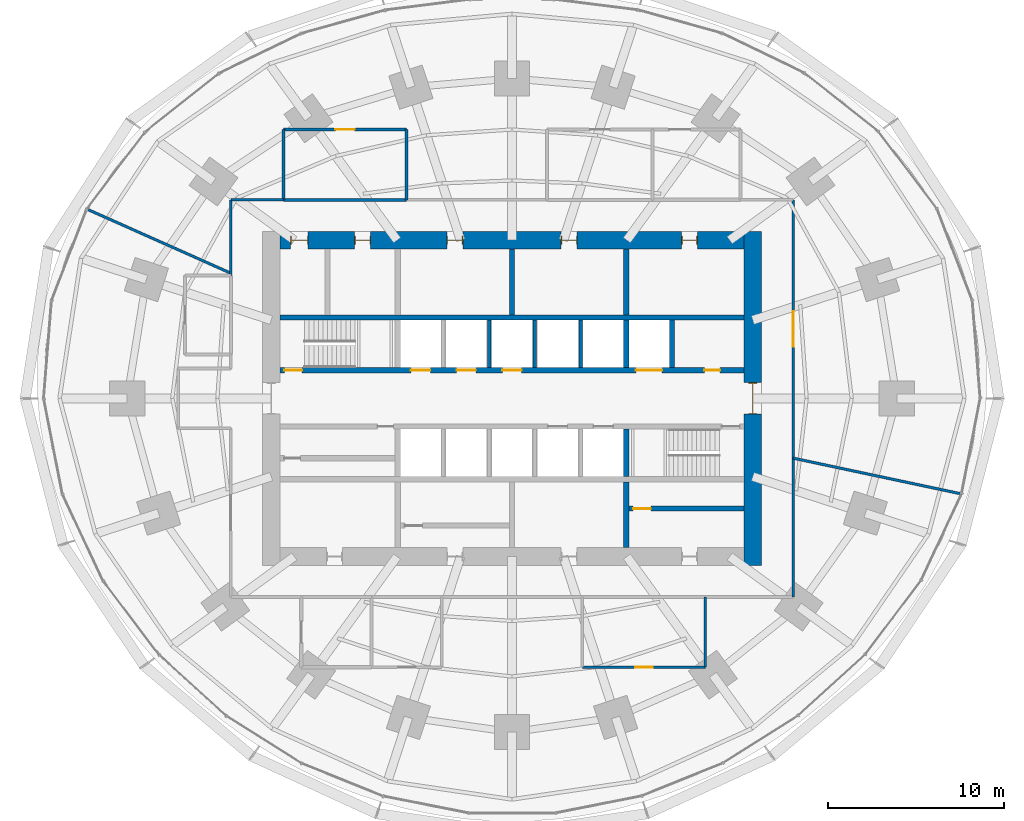
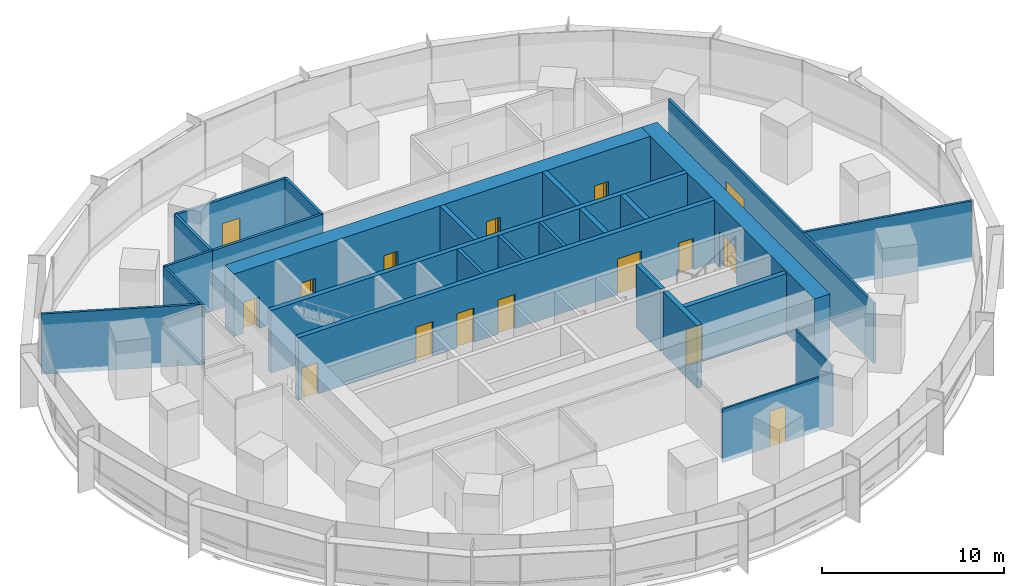
# One storey, part 12 of 15: 25 walls, 16 doors, 16 openings.
"""IFC4 building model written with IfcOpenShell, lengths in metres."""

from ifc_helpers import new_model, si_unit, direction, frame, frame_2d, origin, place, context, subcontext, project, spatial, rectangle, extrude, material, layer, layer_set, type_object, element, fill, save


model = new_model("IFC4")

# Units and contexts
model_context = context("Model", 3, precision=1e-05, world=origin(), true_north=direction((0.0, 1.0)))
body_context = subcontext(model_context, "Body", "Model", "MODEL_VIEW")
ifc_project = project(units=[si_unit("LENGTHUNIT", "METRE"), si_unit("AREAUNIT", "SQUARE_METRE"), si_unit("VOLUMEUNIT", "CUBIC_METRE"), si_unit("PLANEANGLEUNIT", "RADIAN"), si_unit("MASSUNIT", "GRAM", prefix="KILO")], contexts=[model_context])

# Site, building, storey
site_placement = place(None, origin())
site = spatial("IfcSite", under=ifc_project, at=site_placement, CompositionType="ELEMENT")
building_placement = place(site_placement, origin())
building = spatial("IfcBuilding", under=site, at=building_placement, Name="Marramba Exchange Tower", CompositionType="ELEMENT")
storey_placement = place(building_placement, frame((0.0, 0.0, 32.199951171875)))
storey = spatial("IfcBuildingStorey", under=building, at=storey_placement, Name="L07", CompositionType="ELEMENT", Elevation=32.199951171875)

# Wall
ifc_material_1 = material(Name="Plasterboard on staggered double steel studs, acoustic insulation", Category="steel")
ifc_layer_1 = layer(ifc_material_1, 0.169921875)
ifc_layer_set_1 = layer_set([ifc_layer_1], Name="Acoustic partition 170")
wall_type_1 = type_object("IfcWallType", Name="Acoustic partition 170", PredefinedType="PARTITIONING", material=ifc_layer_set_1)
wall_1_placement = place(storey_placement, frame((-6.0, 11.300048828125, 0.0), z_axis=(0.0, 0.0, 1.0), x_axis=(0.0, 1.0, 0.0)))
element("IfcWall", 1, at=wall_1_placement, inside=storey, type_object=wall_type_1, Name="Acoustic partition L07 25", PredefinedType="PARTITIONING", context=body_context, shape_type="SweptSolid", body=[
    extrude(rectangle(XDim=4.0, YDim=0.169921875, at=frame_2d((2.0, 0.0))), origin(), (0.0, 0.0, 1.0), 4.0400390625),
])

# Wall, opening, door
wall_2_placement = place(storey_placement, frame((-6.0, 15.300048828125, 0.0), z_axis=(0.0, 0.0, 1.0), x_axis=(-1.0, 0.0, 0.0)))
wall_2 = element("IfcWall", 2, at=wall_2_placement, inside=storey, type_object=wall_type_1, Name="Acoustic partition L07 26", PredefinedType="PARTITIONING", context=body_context, shape_type="SweptSolid", body=[
    extrude(rectangle(XDim=7.0, YDim=0.169921875, at=frame_2d((3.5, 0.0))), origin(), (0.0, 0.0, 1.0), 4.0400390625),
])
opening_1_placement = place(wall_2_placement, frame((2.949951171875, 0.0, 0.0)))
opening_1 = element("IfcOpeningElement", 3, at=opening_1_placement, cuts=wall_2, Name="Opening D15", PredefinedType="OPENING", context=body_context, shape_type="SweptSolid", body=[
    extrude(rectangle(XDim=1.10009765625, YDim=2.39990234375, at=frame_2d((0.550048828125, 1.199951171875))), frame((0.0, 0.094970703125, 0.0), z_axis=(0.0, -1.0, 0.0), x_axis=(1.0, 0.0, 0.0)), (0.0, 0.0, 1.0), 0.18994140625),
])
ifc_material_2 = material(Name="Timber door", Category="wood")
door_type_1 = type_object("IfcDoorType", Name="Glazed meeting room door 1100x2400", OperationType="SINGLE_SWING_LEFT", PredefinedType="DOOR", material=ifc_material_2)
door_1_placement = place(opening_1_placement, origin())
door_1 = element("IfcDoor", 4, at=door_1_placement, inside=storey, type_object=door_type_1, Name="D15 Meeting Room 2 L07", OperationType="SINGLE_SWING_RIGHT", OverallHeight=2.39990234375, OverallWidth=1.10009765625, PredefinedType="DOOR", context=body_context, shape_type="SweptSolid", body=[
    extrude(rectangle(XDim=1.10009765625, YDim=2.39990234375, at=frame_2d((0.550048828125, 1.199951171875))), frame((0.0, 0.02490234375, 0.0), z_axis=(0.0, -1.0, 0.0), x_axis=(1.0, 0.0, 0.0)), (0.0, 0.0, 1.0), 0.050048828125),
])
fill(opening_1, door_1)

# Walls
wall_3_placement = place(storey_placement, frame((-13.0, 11.300048828125, 0.0), z_axis=(0.0, 0.0, 1.0), x_axis=(1.0, 0.0, 0.0)))
element("IfcWall", 5, at=wall_3_placement, inside=storey, type_object=wall_type_1, Name="Acoustic partition L07 27", PredefinedType="PARTITIONING", context=body_context, shape_type="SweptSolid", body=[
    extrude(rectangle(XDim=7.0, YDim=0.169921875, at=frame_2d((3.5, 0.0))), origin(), (0.0, 0.0, 1.0), 4.0400390625),
])
wall_4_placement = place(storey_placement, frame((-13.0, 15.300048828125, 0.0), z_axis=(0.0, 0.0, 1.0), x_axis=(0.0, -1.0, 0.0)))
element("IfcWall", 6, at=wall_4_placement, inside=storey, type_object=wall_type_1, Name="Acoustic partition L07 28", PredefinedType="PARTITIONING", context=body_context, shape_type="SweptSolid", body=[
    extrude(rectangle(XDim=4.0, YDim=0.169921875, at=frame_2d((2.0, 0.0))), origin(), (0.0, 0.0, 1.0), 4.0400390625),
])
ifc_material_3 = material(Name="Concrete N50", Category="concrete")
ifc_layer_2 = layer(ifc_material_3, 0.199951171875)
ifc_layer_set_2 = layer_set([ifc_layer_2], Name="Core shaft wall 200")
wall_type_2 = type_object("IfcWallType", Name="Core shaft wall 200", PredefinedType="SHEAR", material=ifc_layer_set_2)
for number, where, z_axis, x_axis, name in (
    (7, (-1.300048828125, 1.75, 0.0), (0.0, 0.0, 1.0), (0.0, 1.0, 0.0), "Core wall SHN2 L07"),
    (8, (1.300048828125, 1.75, 0.0), (0.0, 0.0, 1.0), (0.0, 1.0, 0.0), "Core wall SHN3 L07"),
    (9, (3.89990234375, 1.75, 0.0), (0.0, 0.0, 1.0), (0.0, 1.0, 0.0), "Core wall SHN4 L07"),
):
    element("IfcWall", number, at=place(storey_placement, frame(where, z_axis=z_axis, x_axis=x_axis)), inside=storey, type_object=wall_type_2, Name=name, PredefinedType="SHEAR", context=body_context, shape_type="SweptSolid", body=[
        extrude(rectangle(XDim=2.699951171875, YDim=0.199951171875, at=frame_2d((1.35009765625, 0.0))), origin(), (0.0, 0.0, 1.0), 4.199951171875),
    ])

# Wall, openings, doors
ifc_layer_3 = layer(ifc_material_3, 1.0)
ifc_layer_set_3 = layer_set([ifc_layer_3], Name="Core wall 1000")
wall_type_3 = type_object("IfcWallType", Name="Core wall 1000", PredefinedType="SHEAR", material=ifc_layer_set_3)
wall_5_placement = place(storey_placement, frame((13.199951171875, 9.0, 0.0), z_axis=(0.0, 0.0, 1.0), x_axis=(-1.0, 0.0, 0.0)))
wall_5 = element("IfcWall", 10, at=wall_5_placement, inside=storey, type_object=wall_type_3, Name="Core wall N L07", PredefinedType="SHEAR", context=body_context, shape_type="SweptSolid", body=[
    extrude(rectangle(XDim=26.39990234375, YDim=1.0, at=frame_2d((13.199951171875, 0.0))), origin(), (0.0, 0.0, 1.0), 4.199951171875),
])
opening_2_placement = place(wall_5_placement, frame((2.64990234375, 0.0, 0.0)))
opening_2 = element("IfcOpeningElement", 11, at=opening_2_placement, cuts=wall_5, Name="Opening D5", PredefinedType="OPENING", context=body_context, shape_type="SweptSolid", body=[
    extrude(rectangle(XDim=0.89990234375, YDim=2.10009765625, at=frame_2d((0.449951171875, 1.050048828125))), frame((0.0, 0.510009765625, 0.0), z_axis=(0.0, -1.0, 0.0), x_axis=(1.0, 0.0, 0.0)), (0.0, 0.0, 1.0), 1.02001953125),
])
opening_3_placement = place(wall_5_placement, frame((9.5, 0.0, 0.0)))
opening_3 = element("IfcOpeningElement", 12, at=opening_3_placement, cuts=wall_5, Name="Opening D3", PredefinedType="OPENING", context=body_context, shape_type="SweptSolid", body=[
    extrude(rectangle(XDim=0.89990234375, YDim=2.10009765625, at=frame_2d((0.449951171875, 1.050048828125))), frame((0.0, 0.510009765625, 0.0), z_axis=(0.0, -1.0, 0.0), x_axis=(1.0, 0.0, 0.0)), (0.0, 0.0, 1.0), 1.02001953125),
])
opening_4_placement = place(wall_5_placement, frame((16.0, 0.0, 0.0)))
opening_4 = element("IfcOpeningElement", 13, at=opening_4_placement, cuts=wall_5, Name="Opening D3", PredefinedType="OPENING", context=body_context, shape_type="SweptSolid", body=[
    extrude(rectangle(XDim=0.89990234375, YDim=2.10009765625, at=frame_2d((0.449951171875, 1.050048828125))), frame((0.0, 0.510009765625, 0.0), z_axis=(0.0, -1.0, 0.0), x_axis=(1.0, 0.0, 0.0)), (0.0, 0.0, 1.0), 1.02001953125),
])
opening_5_placement = place(wall_5_placement, frame((21.25, 0.0, 0.0)))
opening_5 = element("IfcOpeningElement", 14, at=opening_5_placement, cuts=wall_5, Name="Opening D5", PredefinedType="OPENING", context=body_context, shape_type="SweptSolid", body=[
    extrude(rectangle(XDim=0.89990234375, YDim=2.10009765625, at=frame_2d((0.449951171875, 1.050048828125))), frame((0.0, 0.510009765625, 0.0), z_axis=(0.0, -1.0, 0.0), x_axis=(1.0, 0.0, 0.0)), (0.0, 0.0, 1.0), 1.02001953125),
])
opening_6_placement = place(wall_5_placement, frame((24.800048828125, 0.0, 0.0)))
opening_6 = element("IfcOpeningElement", 15, at=opening_6_placement, cuts=wall_5, Name="Opening D4", PredefinedType="OPENING", context=body_context, shape_type="SweptSolid", body=[
    extrude(rectangle(XDim=1.0, YDim=2.10009765625, at=frame_2d((0.5, 1.050048828125))), frame((0.0, 0.510009765625, 0.0), z_axis=(0.0, -1.0, 0.0), x_axis=(1.0, 0.0, 0.0)), (0.0, 0.0, 1.0), 1.02001953125),
])
ifc_material_4 = material(Name="Steel-framed door", Category="steel")
door_type_2 = type_object("IfcDoorType", Name="Accessible toilet door 1000x2100", OperationType="SINGLE_SWING_LEFT", PredefinedType="DOOR", material=ifc_material_4)
door_2_placement = place(opening_6_placement, origin())
door_2 = element("IfcDoor", 16, at=door_2_placement, inside=storey, type_object=door_type_2, Name="D4 awc L07", OperationType="SINGLE_SWING_RIGHT", OverallHeight=2.10009765625, OverallWidth=1.0, PredefinedType="DOOR", context=body_context, shape_type="SweptSolid", body=[
    extrude(rectangle(XDim=0.919921875, YDim=2.06005859375, at=frame_2d((0.5, 1.030029296875))), frame((0.0, 0.02490234375, 0.0), z_axis=(0.0, -1.0, 0.0), x_axis=(1.0, 0.0, 0.0)), (0.0, 0.0, 1.0), 0.050048828125),
    extrude(rectangle(XDim=0.04, YDim=2.10009765625, at=frame_2d((0.02001953125, 1.050048828125))), frame((0.0, 0.25, 0.0), z_axis=(0.0, -1.0, 0.0), x_axis=(1.0, 0.0, 0.0)), (0.0, 0.0, 1.0), 0.5),
    extrude(rectangle(XDim=0.04, YDim=2.10009765625, at=frame_2d((0.97998046875, 1.050048828125))), frame((0.0, 0.25, 0.0), z_axis=(0.0, -1.0, 0.0), x_axis=(1.0, 0.0, 0.0)), (0.0, 0.0, 1.0), 0.5),
    extrude(rectangle(XDim=0.919921875, YDim=0.04, at=frame_2d((0.5, 2.080078125))), frame((0.0, 0.25, 0.0), z_axis=(0.0, -1.0, 0.0), x_axis=(1.0, 0.0, 0.0)), (0.0, 0.0, 1.0), 0.5),
])
fill(opening_6, door_2)
door_type_3 = type_object("IfcDoorType", Name="Service door 900x2100", OperationType="SINGLE_SWING_LEFT", PredefinedType="DOOR", material=ifc_material_4)
door_3_placement = place(opening_2_placement, origin())
door_3 = element("IfcDoor", 17, at=door_3_placement, inside=storey, type_object=door_type_3, Name="D5 comms L07", OperationType="SINGLE_SWING_LEFT", OverallHeight=2.10009765625, OverallWidth=0.89990234375, PredefinedType="DOOR", context=body_context, shape_type="SweptSolid", body=[
    extrude(rectangle(XDim=0.81982421875, YDim=2.06005859375, at=frame_2d((0.449951171875, 1.030029296875))), frame((0.0, 0.02490234375, 0.0), z_axis=(0.0, -1.0, 0.0), x_axis=(1.0, 0.0, 0.0)), (0.0, 0.0, 1.0), 0.050048828125),
    extrude(rectangle(XDim=0.04, YDim=2.10009765625, at=frame_2d((0.02001953125, 1.050048828125))), frame((0.0, 0.25, 0.0), z_axis=(0.0, -1.0, 0.0), x_axis=(1.0, 0.0, 0.0)), (0.0, 0.0, 1.0), 0.5),
    extrude(rectangle(XDim=0.04, YDim=2.10009765625, at=frame_2d((0.8798828125, 1.050048828125))), frame((0.0, 0.25, 0.0), z_axis=(0.0, -1.0, 0.0), x_axis=(1.0, 0.0, 0.0)), (0.0, 0.0, 1.0), 0.5),
    extrude(rectangle(XDim=0.81982421875, YDim=0.04, at=frame_2d((0.449951171875, 2.080078125))), frame((0.0, 0.25, 0.0), z_axis=(0.0, -1.0, 0.0), x_axis=(1.0, 0.0, 0.0)), (0.0, 0.0, 1.0), 0.5),
])
fill(opening_2, door_3)
door_4_placement = place(opening_5_placement, origin())
door_4 = element("IfcDoor", 18, at=door_4_placement, inside=storey, type_object=door_type_3, Name="D5 cleaner L07", OperationType="SINGLE_SWING_RIGHT", OverallHeight=2.10009765625, OverallWidth=0.89990234375, PredefinedType="DOOR", context=body_context, shape_type="SweptSolid", body=[
    extrude(rectangle(XDim=0.81982421875, YDim=2.06005859375, at=frame_2d((0.449951171875, 1.030029296875))), frame((0.0, 0.02490234375, 0.0), z_axis=(0.0, -1.0, 0.0), x_axis=(1.0, 0.0, 0.0)), (0.0, 0.0, 1.0), 0.050048828125),
    extrude(rectangle(XDim=0.04, YDim=2.10009765625, at=frame_2d((0.02001953125, 1.050048828125))), frame((0.0, 0.25, 0.0), z_axis=(0.0, -1.0, 0.0), x_axis=(1.0, 0.0, 0.0)), (0.0, 0.0, 1.0), 0.5),
    extrude(rectangle(XDim=0.04, YDim=2.10009765625, at=frame_2d((0.8798828125, 1.050048828125))), frame((0.0, 0.25, 0.0), z_axis=(0.0, -1.0, 0.0), x_axis=(1.0, 0.0, 0.0)), (0.0, 0.0, 1.0), 0.5),
    extrude(rectangle(XDim=0.81982421875, YDim=0.04, at=frame_2d((0.449951171875, 2.080078125))), frame((0.0, 0.25, 0.0), z_axis=(0.0, -1.0, 0.0), x_axis=(1.0, 0.0, 0.0)), (0.0, 0.0, 1.0), 0.5),
])
fill(opening_5, door_4)
door_type_4 = type_object("IfcDoorType", Name="Toilet door 900x2100", OperationType="SINGLE_SWING_LEFT", PredefinedType="DOOR", material=ifc_material_4)
door_5_placement = place(opening_3_placement, origin())
door_5 = element("IfcDoor", 19, at=door_5_placement, inside=storey, type_object=door_type_4, Name="D3 wc-f L07", OperationType="SINGLE_SWING_RIGHT", OverallHeight=2.10009765625, OverallWidth=0.89990234375, PredefinedType="DOOR", context=body_context, shape_type="SweptSolid", body=[
    extrude(rectangle(XDim=0.81982421875, YDim=2.06005859375, at=frame_2d((0.449951171875, 1.030029296875))), frame((0.0, 0.02490234375, 0.0), z_axis=(0.0, -1.0, 0.0), x_axis=(1.0, 0.0, 0.0)), (0.0, 0.0, 1.0), 0.050048828125),
    extrude(rectangle(XDim=0.04, YDim=2.10009765625, at=frame_2d((0.02001953125, 1.050048828125))), frame((0.0, 0.25, 0.0), z_axis=(0.0, -1.0, 0.0), x_axis=(1.0, 0.0, 0.0)), (0.0, 0.0, 1.0), 0.5),
    extrude(rectangle(XDim=0.04, YDim=2.10009765625, at=frame_2d((0.8798828125, 1.050048828125))), frame((0.0, 0.25, 0.0), z_axis=(0.0, -1.0, 0.0), x_axis=(1.0, 0.0, 0.0)), (0.0, 0.0, 1.0), 0.5),
    extrude(rectangle(XDim=0.81982421875, YDim=0.04, at=frame_2d((0.449951171875, 2.080078125))), frame((0.0, 0.25, 0.0), z_axis=(0.0, -1.0, 0.0), x_axis=(1.0, 0.0, 0.0)), (0.0, 0.0, 1.0), 0.5),
])
fill(opening_3, door_5)
door_6_placement = place(opening_4_placement, origin())
door_6 = element("IfcDoor", 20, at=door_6_placement, inside=storey, type_object=door_type_4, Name="D3 wc-m L07", OperationType="SINGLE_SWING_RIGHT", OverallHeight=2.10009765625, OverallWidth=0.89990234375, PredefinedType="DOOR", context=body_context, shape_type="SweptSolid", body=[
    extrude(rectangle(XDim=0.81982421875, YDim=2.06005859375, at=frame_2d((0.449951171875, 1.030029296875))), frame((0.0, 0.02490234375, 0.0), z_axis=(0.0, -1.0, 0.0), x_axis=(1.0, 0.0, 0.0)), (0.0, 0.0, 1.0), 0.050048828125),
    extrude(rectangle(XDim=0.04, YDim=2.10009765625, at=frame_2d((0.02001953125, 1.050048828125))), frame((0.0, 0.25, 0.0), z_axis=(0.0, -1.0, 0.0), x_axis=(1.0, 0.0, 0.0)), (0.0, 0.0, 1.0), 0.5),
    extrude(rectangle(XDim=0.04, YDim=2.10009765625, at=frame_2d((0.8798828125, 1.050048828125))), frame((0.0, 0.25, 0.0), z_axis=(0.0, -1.0, 0.0), x_axis=(1.0, 0.0, 0.0)), (0.0, 0.0, 1.0), 0.5),
    extrude(rectangle(XDim=0.81982421875, YDim=0.04, at=frame_2d((0.449951171875, 2.080078125))), frame((0.0, 0.25, 0.0), z_axis=(0.0, -1.0, 0.0), x_axis=(1.0, 0.0, 0.0)), (0.0, 0.0, 1.0), 0.5),
])
fill(opening_4, door_6)

# Wall, opening, door
wall_6_placement = place(storey_placement, frame((13.699951171875, -9.5, 0.0), z_axis=(0.0, 0.0, 1.0), x_axis=(0.0, 1.0, 0.0)))
wall_6 = element("IfcWall", 21, at=wall_6_placement, inside=storey, type_object=wall_type_3, Name="Core wall E L07", PredefinedType="SHEAR", context=body_context, shape_type="SweptSolid", body=[
    extrude(rectangle(XDim=19.0, YDim=1.0, at=frame_2d((9.5, 0.0))), origin(), (0.0, 0.0, 1.0), 4.199951171875),
])
opening_7_placement = place(wall_6_placement, frame((8.60009765625, 0.0, 0.0)))
opening_7 = element("IfcOpeningElement", 22, at=opening_7_placement, cuts=wall_6, Name="Opening D1", PredefinedType="OPENING", context=body_context, shape_type="SweptSolid", body=[
    extrude(rectangle(XDim=1.800048828125, YDim=2.39990234375, at=frame_2d((0.89990234375, 1.199951171875))), frame((0.0, 0.510009765625, 0.0), z_axis=(0.0, -1.0, 0.0), x_axis=(1.0, 0.0, 0.0)), (0.0, 0.0, 1.0), 1.02001953125),
])
door_type_5 = type_object("IfcDoorType", Name="Lobby exit door 1800x2400", OperationType="DOUBLE_DOOR_SINGLE_SWING", PredefinedType="DOOR", material=ifc_material_4)
door_7_placement = place(opening_7_placement, origin())
door_7 = element("IfcDoor", 23, at=door_7_placement, inside=storey, type_object=door_type_5, Name="D1 lobby exit east L07", OperationType="DOUBLE_DOOR_SINGLE_SWING", OverallHeight=2.39990234375, OverallWidth=1.800048828125, PredefinedType="DOOR", context=body_context, shape_type="SweptSolid", body=[
    extrude(rectangle(XDim=1.719970703125, YDim=2.35986328125, at=frame_2d((0.89990234375, 1.179931640625))), frame((0.0, 0.02490234375, 0.0), z_axis=(0.0, -1.0, 0.0), x_axis=(1.0, 0.0, 0.0)), (0.0, 0.0, 1.0), 0.050048828125),
    extrude(rectangle(XDim=0.04, YDim=2.39990234375, at=frame_2d((0.02001953125, 1.199951171875))), frame((0.0, 0.25, 0.0), z_axis=(0.0, -1.0, 0.0), x_axis=(1.0, 0.0, 0.0)), (0.0, 0.0, 1.0), 0.5),
    extrude(rectangle(XDim=0.04, YDim=2.39990234375, at=frame_2d((1.780029296875, 1.199951171875))), frame((0.0, 0.25, 0.0), z_axis=(0.0, -1.0, 0.0), x_axis=(1.0, 0.0, 0.0)), (0.0, 0.0, 1.0), 0.5),
    extrude(rectangle(XDim=1.719970703125, YDim=0.04, at=frame_2d((0.89990234375, 2.3798828125))), frame((0.0, 0.25, 0.0), z_axis=(0.0, -1.0, 0.0), x_axis=(1.0, 0.0, 0.0)), (0.0, 0.0, 1.0), 0.5),
])
fill(opening_7, door_7)

# Wall, openings, doors
ifc_layer_4 = layer(ifc_material_3, 0.300048828125)
ifc_layer_set_4 = layer_set([ifc_layer_4], Name="Core wall 300")
wall_type_4 = type_object("IfcWallType", Name="Core wall 300", PredefinedType="SHEAR", material=ifc_layer_set_4)
wall_7_placement = place(storey_placement, frame((-13.199951171875, 1.60009765625, 0.0), z_axis=(0.0, 0.0, 1.0), x_axis=(1.0, 0.0, 0.0)))
wall_7 = element("IfcWall", 24, at=wall_7_placement, inside=storey, type_object=wall_type_4, Name="Core wall LN L07", PredefinedType="SHEAR", context=body_context, shape_type="SweptSolid", body=[
    extrude(rectangle(XDim=26.39990234375, YDim=0.300048828125, at=frame_2d((13.199951171875, 0.0))), origin(), (0.0, 0.0, 1.0), 4.199951171875),
])
opening_8_placement = place(wall_7_placement, frame((0.25, 0.0, 0.0)))
opening_8 = element("IfcOpeningElement", 25, at=opening_8_placement, cuts=wall_7, Name="Opening D2", PredefinedType="OPENING", context=body_context, shape_type="SweptSolid", body=[
    extrude(rectangle(XDim=1.0, YDim=2.10009765625, at=frame_2d((0.5, 1.050048828125))), frame((0.0, 0.159912109375, 0.0), z_axis=(0.0, -1.0, 0.0), x_axis=(1.0, 0.0, 0.0)), (0.0, 0.0, 1.0), 0.320068359375),
])
opening_9_placement = place(wall_7_placement, frame((20.25, 0.0, 0.0)))
opening_9 = element("IfcOpeningElement", 26, at=opening_9_placement, cuts=wall_7, Name="Opening LD3", PredefinedType="OPENING", context=body_context, shape_type="SweptSolid", body=[
    extrude(rectangle(XDim=1.5, YDim=2.39990234375, at=frame_2d((0.75, 1.199951171875))), frame((0.0, 0.159912109375, 0.0), z_axis=(0.0, -1.0, 0.0), x_axis=(1.0, 0.0, 0.0)), (0.0, 0.0, 1.0), 0.320068359375),
])
opening_10_placement = place(wall_7_placement, frame((7.449951171875, 0.0, 0.0)))
opening_10 = element("IfcOpeningElement", 27, at=opening_10_placement, cuts=wall_7, Name="Opening LD1", PredefinedType="OPENING", context=body_context, shape_type="SweptSolid", body=[
    extrude(rectangle(XDim=1.10009765625, YDim=2.300048828125, at=frame_2d((0.550048828125, 1.14990234375))), frame((0.0, 0.159912109375, 0.0), z_axis=(0.0, -1.0, 0.0), x_axis=(1.0, 0.0, 0.0)), (0.0, 0.0, 1.0), 0.320068359375),
])
opening_11_placement = place(wall_7_placement, frame((10.050048828125, 0.0, 0.0)))
opening_11 = element("IfcOpeningElement", 28, at=opening_11_placement, cuts=wall_7, Name="Opening LD1", PredefinedType="OPENING", context=body_context, shape_type="SweptSolid", body=[
    extrude(rectangle(XDim=1.10009765625, YDim=2.300048828125, at=frame_2d((0.550048828125, 1.14990234375))), frame((0.0, 0.159912109375, 0.0), z_axis=(0.0, -1.0, 0.0), x_axis=(1.0, 0.0, 0.0)), (0.0, 0.0, 1.0), 0.320068359375),
])
opening_12_placement = place(wall_7_placement, frame((12.64990234375, 0.0, 0.0)))
opening_12 = element("IfcOpeningElement", 29, at=opening_12_placement, cuts=wall_7, Name="Opening LD1", PredefinedType="OPENING", context=body_context, shape_type="SweptSolid", body=[
    extrude(rectangle(XDim=1.10009765625, YDim=2.300048828125, at=frame_2d((0.550048828125, 1.14990234375))), frame((0.0, 0.159912109375, 0.0), z_axis=(0.0, -1.0, 0.0), x_axis=(1.0, 0.0, 0.0)), (0.0, 0.0, 1.0), 0.320068359375),
])
opening_13_placement = place(wall_7_placement, frame((24.14990234375, 0.0, 0.0)))
opening_13 = element("IfcOpeningElement", 30, at=opening_13_placement, cuts=wall_7, Name="Opening D5", PredefinedType="OPENING", context=body_context, shape_type="SweptSolid", body=[
    extrude(rectangle(XDim=0.89990234375, YDim=2.10009765625, at=frame_2d((0.449951171875, 1.050048828125))), frame((0.0, 0.159912109375, 0.0), z_axis=(0.0, -1.0, 0.0), x_axis=(1.0, 0.0, 0.0)), (0.0, 0.0, 1.0), 0.320068359375),
])
door_type_6 = type_object("IfcDoorType", Name="Goods lift landing door 1500x2400", OperationType="SLIDING_TO_LEFT", PredefinedType="DOOR", material=ifc_material_4)
door_8_placement = place(opening_9_placement, origin())
door_8 = element("IfcDoor", 31, at=door_8_placement, inside=storey, type_object=door_type_6, Name="GL1 landing door L07", OperationType="SLIDING_TO_LEFT", OverallHeight=2.39990234375, OverallWidth=1.5, PredefinedType="DOOR", context=body_context, shape_type="SweptSolid", body=[
    extrude(rectangle(XDim=1.5, YDim=2.39990234375, at=frame_2d((0.75, 1.199951171875))), frame((0.0, 0.02490234375, 0.0), z_axis=(0.0, -1.0, 0.0), x_axis=(1.0, 0.0, 0.0)), (0.0, 0.0, 1.0), 0.050048828125),
])
fill(opening_9, door_8)
door_type_7 = type_object("IfcDoorType", Name="Lift landing door 1100x2300", OperationType="SLIDING_TO_LEFT", PredefinedType="DOOR", material=ifc_material_4)
door_9_placement = place(opening_10_placement, origin())
door_9 = element("IfcDoor", 32, at=door_9_placement, inside=storey, type_object=door_type_7, Name="LA1 landing door L07", OperationType="SLIDING_TO_LEFT", OverallHeight=2.300048828125, OverallWidth=1.10009765625, PredefinedType="DOOR", context=body_context, shape_type="SweptSolid", body=[
    extrude(rectangle(XDim=1.10009765625, YDim=2.300048828125, at=frame_2d((0.550048828125, 1.14990234375))), frame((0.0, 0.02490234375, 0.0), z_axis=(0.0, -1.0, 0.0), x_axis=(1.0, 0.0, 0.0)), (0.0, 0.0, 1.0), 0.050048828125),
])
fill(opening_10, door_9)
door_10_placement = place(opening_11_placement, origin())
door_10 = element("IfcDoor", 33, at=door_10_placement, inside=storey, type_object=door_type_7, Name="LA2 landing door L07", OperationType="SLIDING_TO_LEFT", OverallHeight=2.300048828125, OverallWidth=1.10009765625, PredefinedType="DOOR", context=body_context, shape_type="SweptSolid", body=[
    extrude(rectangle(XDim=1.10009765625, YDim=2.300048828125, at=frame_2d((0.550048828125, 1.14990234375))), frame((0.0, 0.02490234375, 0.0), z_axis=(0.0, -1.0, 0.0), x_axis=(1.0, 0.0, 0.0)), (0.0, 0.0, 1.0), 0.050048828125),
])
fill(opening_11, door_10)
door_11_placement = place(opening_12_placement, origin())
door_11 = element("IfcDoor", 34, at=door_11_placement, inside=storey, type_object=door_type_7, Name="LA3 landing door L07", OperationType="SLIDING_TO_RIGHT", OverallHeight=2.300048828125, OverallWidth=1.10009765625, PredefinedType="DOOR", context=body_context, shape_type="SweptSolid", body=[
    extrude(rectangle(XDim=1.10009765625, YDim=2.300048828125, at=frame_2d((0.550048828125, 1.14990234375))), frame((0.0, 0.02490234375, 0.0), z_axis=(0.0, -1.0, 0.0), x_axis=(1.0, 0.0, 0.0)), (0.0, 0.0, 1.0), 0.050048828125),
])
fill(opening_12, door_11)
door_12_placement = place(opening_13_placement, origin())
door_12 = element("IfcDoor", 35, at=door_12_placement, inside=storey, type_object=door_type_3, Name="D5 riser L07", OperationType="SINGLE_SWING_RIGHT", OverallHeight=2.10009765625, OverallWidth=0.89990234375, PredefinedType="DOOR", context=body_context, shape_type="SweptSolid", body=[
    extrude(rectangle(XDim=0.89990234375, YDim=2.10009765625, at=frame_2d((0.449951171875, 1.050048828125))), frame((0.0, 0.02490234375, 0.0), z_axis=(0.0, -1.0, 0.0), x_axis=(1.0, 0.0, 0.0)), (0.0, 0.0, 1.0), 0.050048828125),
])
fill(opening_13, door_12)
door_type_8 = type_object("IfcDoorType", Name="Stair door 1000x2100", OperationType="SINGLE_SWING_LEFT", PredefinedType="DOOR", material=ifc_material_4)
door_13_placement = place(opening_8_placement, origin())
door_13 = element("IfcDoor", 36, at=door_13_placement, inside=storey, type_object=door_type_8, Name="D2 stair ST1 L07", OperationType="SINGLE_SWING_LEFT", OverallHeight=2.10009765625, OverallWidth=1.0, PredefinedType="DOOR", context=body_context, shape_type="SweptSolid", body=[
    extrude(rectangle(XDim=1.0, YDim=2.10009765625, at=frame_2d((0.5, 1.050048828125))), frame((0.0, 0.02490234375, 0.0), z_axis=(0.0, -1.0, 0.0), x_axis=(1.0, 0.0, 0.0)), (0.0, 0.0, 1.0), 0.050048828125),
])
fill(opening_8, door_13)

# Walls
wall_8_placement = place(storey_placement, frame((-13.199951171875, 4.60009765625, 0.0), z_axis=(0.0, 0.0, 1.0), x_axis=(1.0, 0.0, 0.0)))
element("IfcWall", 37, at=wall_8_placement, inside=storey, type_object=wall_type_4, Name="Core wall BN L07", PredefinedType="SHEAR", context=body_context, shape_type="SweptSolid", body=[
    extrude(rectangle(XDim=26.39990234375, YDim=0.300048828125, at=frame_2d((13.199951171875, 0.0))), origin(), (0.0, 0.0, 1.0), 4.199951171875),
])
wall_9_placement = place(storey_placement, frame((6.5, 1.75, 0.0), z_axis=(0.0, 0.0, 1.0), x_axis=(0.0, 1.0, 0.0)))
element("IfcWall", 38, at=wall_9_placement, inside=storey, type_object=wall_type_4, Name="Core wall X1Na L07", PredefinedType="SHEAR", context=body_context, shape_type="SweptSolid", body=[
    extrude(rectangle(XDim=2.699951171875, YDim=0.300048828125, at=frame_2d((1.35009765625, 0.0))), origin(), (0.0, 0.0, 1.0), 4.199951171875),
])
for number, where, z_axis, x_axis, name in (
    (39, (6.5, 4.75, 0.0), (0.0, 0.0, 1.0), (0.0, 1.0, 0.0), "Core wall X1Nb L07"),
    (40, (0.0, 4.75, 0.0), (0.0, 0.0, 1.0), (0.0, 1.0, 0.0), "Core wall MN L07"),
):
    element("IfcWall", number, at=place(storey_placement, frame(where, z_axis=z_axis, x_axis=x_axis)), inside=storey, type_object=wall_type_4, Name=name, PredefinedType="SHEAR", context=body_context, shape_type="SweptSolid", body=[
        extrude(rectangle(XDim=3.75, YDim=0.300048828125, at=frame_2d((1.875, 0.0))), origin(), (0.0, 0.0, 1.0), 4.199951171875),
    ])
wall_10_placement = place(storey_placement, frame((6.5, -1.75, 0.0), z_axis=(0.0, 0.0, 1.0), x_axis=(0.0, -1.0, 0.0)))
element("IfcWall", 41, at=wall_10_placement, inside=storey, type_object=wall_type_4, Name="Core wall X1Sa L07", PredefinedType="SHEAR", context=body_context, shape_type="SweptSolid", body=[
    extrude(rectangle(XDim=2.699951171875, YDim=0.300048828125, at=frame_2d((1.35009765625, 0.0))), origin(), (0.0, 0.0, 1.0), 4.199951171875),
])
wall_11_placement = place(storey_placement, frame((6.5, -4.75, 0.0), z_axis=(0.0, 0.0, 1.0), x_axis=(0.0, -1.0, 0.0)))
element("IfcWall", 42, at=wall_11_placement, inside=storey, type_object=wall_type_4, Name="Core wall X1Sb L07", PredefinedType="SHEAR", context=body_context, shape_type="SweptSolid", body=[
    extrude(rectangle(XDim=3.75, YDim=0.300048828125, at=frame_2d((1.875, 0.0))), origin(), (0.0, 0.0, 1.0), 4.199951171875),
])
wall_12_placement = place(storey_placement, frame((9.10009765625, 1.75, 0.0), z_axis=(0.0, 0.0, 1.0), x_axis=(0.0, 1.0, 0.0)))
element("IfcWall", 43, at=wall_12_placement, inside=storey, type_object=wall_type_4, Name="Core wall ED L07", PredefinedType="SHEAR", context=body_context, shape_type="SweptSolid", body=[
    extrude(rectangle(XDim=2.699951171875, YDim=0.300048828125, at=frame_2d((1.35009765625, 0.0))), origin(), (0.0, 0.0, 1.0), 4.199951171875),
])

# Wall, opening, door
ifc_material_5 = material(Name="Plasterboard on steel studs", Category="steel")
ifc_layer_5 = layer(ifc_material_5, 0.1201171875)
ifc_layer_set_5 = layer_set([ifc_layer_5], Name="Partition 120")
wall_type_5 = type_object("IfcWallType", Name="Partition 120", PredefinedType="PARTITIONING", material=ifc_layer_set_5)
wall_13_placement = place(storey_placement, frame((4.0, -15.300048828125, 0.0), z_axis=(0.0, 0.0, 1.0), x_axis=(1.0, 0.0, 0.0)))
wall_13 = element("IfcWall", 44, at=wall_13_placement, inside=storey, type_object=wall_type_5, Name="Partition L07 12", PredefinedType="PARTITIONING", context=body_context, shape_type="SweptSolid", body=[
    extrude(rectangle(XDim=7.0, YDim=0.1201171875, at=frame_2d((3.5, 0.0))), origin(), (0.0, 0.0, 1.0), 3.5859375),
])
opening_14_placement = place(wall_13_placement, frame((3.0, 0.0, 0.0)))
opening_14 = element("IfcOpeningElement", 45, at=opening_14_placement, cuts=wall_13, Name="Opening D9", PredefinedType="OPENING", context=body_context, shape_type="SweptSolid", body=[
    extrude(rectangle(XDim=1.0, YDim=2.39990234375, at=frame_2d((0.5, 1.199951171875))), frame((0.0, 0.070068359375, 0.0), z_axis=(0.0, -1.0, 0.0), x_axis=(1.0, 0.0, 0.0)), (0.0, 0.0, 1.0), 0.14013671875),
])
door_type_9 = type_object("IfcDoorType", Name="Room door 1000x2400", OperationType="SINGLE_SWING_LEFT", PredefinedType="DOOR", material=ifc_material_2)
door_14_placement = place(opening_14_placement, origin())
door_14 = element("IfcDoor", 46, at=door_14_placement, inside=storey, type_object=door_type_9, Name="D9 Pantry L07", OperationType="SINGLE_SWING_RIGHT", OverallHeight=2.39990234375, OverallWidth=1.0, PredefinedType="DOOR", context=body_context, shape_type="SweptSolid", body=[
    extrude(rectangle(XDim=1.0, YDim=2.39990234375, at=frame_2d((0.5, 1.199951171875))), frame((0.0, 0.02490234375, 0.0), z_axis=(0.0, -1.0, 0.0), x_axis=(1.0, 0.0, 0.0)), (0.0, 0.0, 1.0), 0.050048828125),
])
fill(opening_14, door_14)

# Wall
wall_14_placement = place(storey_placement, frame((11.0, -15.300048828125, 0.0), z_axis=(0.0, 0.0, 1.0), x_axis=(0.0, 1.0, 0.0)))
element("IfcWall", 47, at=wall_14_placement, inside=storey, type_object=wall_type_5, Name="Partition L07 13", PredefinedType="PARTITIONING", context=body_context, shape_type="SweptSolid", body=[
    extrude(rectangle(XDim=4.0, YDim=0.1201171875, at=frame_2d((2.0, 0.0))), origin(), (0.0, 0.0, 1.0), 4.0400390625),
])

# Wall, opening, door
ifc_material_6 = material(Name="Plasterboard on steel studs, insulated, unrated", Category="steel")
ifc_layer_6 = layer(ifc_material_6, 0.300048828125)
ifc_layer_set_6 = layer_set([ifc_layer_6], Name="Store partition 300")
wall_type_6 = type_object("IfcWallType", Name="Store partition 300", PredefinedType="PARTITIONING", material=ifc_layer_set_6)
wall_15_placement = place(storey_placement, frame((6.64990234375, -6.27197265625, 0.0), z_axis=(0.0, 0.0, 1.0), x_axis=(1.0, 0.0, 0.0)))
wall_15 = element("IfcWall", 48, at=wall_15_placement, inside=storey, type_object=wall_type_6, Name="Store partition L07 cstore", PredefinedType="PARTITIONING", context=body_context, shape_type="SweptSolid", body=[
    extrude(rectangle(XDim=6.550048828125, YDim=0.300048828125, at=frame_2d((3.27490234375, 0.0))), origin(), (0.0, 0.0, 1.0), 4.0400390625),
])
opening_15_placement = place(wall_15_placement, frame((0.25, 0.0, 0.0)))
opening_15 = element("IfcOpeningElement", 49, at=opening_15_placement, cuts=wall_15, Name="Opening D9", PredefinedType="OPENING", context=body_context, shape_type="SweptSolid", body=[
    extrude(rectangle(XDim=1.0, YDim=2.39990234375, at=frame_2d((0.5, 1.199951171875))), frame((0.0, 0.159912109375, 0.0), z_axis=(0.0, -1.0, 0.0), x_axis=(1.0, 0.0, 0.0)), (0.0, 0.0, 1.0), 0.320068359375),
])
door_15_placement = place(opening_15_placement, origin())
door_15 = element("IfcDoor", 50, at=door_15_placement, inside=storey, type_object=door_type_9, Name="D9 general store L07", OperationType="SINGLE_SWING_LEFT", OverallHeight=2.39990234375, OverallWidth=1.0, PredefinedType="DOOR", context=body_context, shape_type="SweptSolid", body=[
    extrude(rectangle(XDim=1.0, YDim=2.39990234375, at=frame_2d((0.5, 1.199951171875))), frame((0.0, 0.02490234375, 0.0), z_axis=(0.0, -1.0, 0.0), x_axis=(1.0, 0.0, 0.0)), (0.0, 0.0, 1.0), 0.050048828125),
])
fill(opening_15, door_15)

# Wall
ifc_material_7 = material(Name="Fire-rated plasterboard on steel studs, acoustic insulation", Category="steel")
ifc_layer_7 = layer(ifc_material_7, 0.14990234375)
ifc_layer_set_7 = layer_set([ifc_layer_7], Name="Tenancy wall 150")
wall_type_7 = type_object("IfcWallType", Name="Tenancy wall 150", PredefinedType="PARTITIONING", material=ifc_layer_set_7)
wall_16_placement = place(storey_placement, frame((25.50634765625, -5.421630859375, 0.0), z_axis=(0.0, 0.0, 1.0), x_axis=(-0.978145186273, 0.207923049637, 0.0)))
element("IfcWall", 51, at=wall_16_placement, inside=storey, type_object=wall_type_7, Name="Tenancy wall L07 14", PredefinedType="PARTITIONING", context=body_context, shape_type="SweptSolid", body=[
    extrude(rectangle(XDim=9.71875, YDim=0.14990234375, at=frame_2d((4.859375, 0.0))), origin(), (0.0, 0.0, 1.0), 4.0400390625),
])

# Wall, opening, door
wall_17_placement = place(storey_placement, frame((16.0, -11.300048828125, 0.0), z_axis=(0.0, 0.0, 1.0), x_axis=(0.0, 1.0, 0.0)))
wall_17 = element("IfcWall", 52, at=wall_17_placement, inside=storey, type_object=wall_type_7, Name="Tenancy wall L07 15", PredefinedType="PARTITIONING", context=body_context, shape_type="SweptSolid", body=[
    extrude(rectangle(XDim=22.60009765625, YDim=0.14990234375, at=frame_2d((11.300048828125, 0.0))), origin(), (0.0, 0.0, 1.0), 4.0400390625),
])
opening_16_placement = place(wall_17_placement, frame((14.25, 0.0, 0.0)))
opening_16 = element("IfcOpeningElement", 53, at=opening_16_placement, cuts=wall_17, Name="Opening D17", PredefinedType="OPENING", context=body_context, shape_type="SweptSolid", body=[
    extrude(rectangle(XDim=2.0, YDim=2.39990234375, at=frame_2d((1.0, 1.199951171875))), frame((0.0, 0.0849609375, 0.0), z_axis=(0.0, -1.0, 0.0), x_axis=(1.0, 0.0, 0.0)), (0.0, 0.0, 1.0), 0.169921875),
])
door_type_10 = type_object("IfcDoorType", Name="Trading floor entry door pair 2000x2400", OperationType="DOUBLE_DOOR_SINGLE_SWING", PredefinedType="DOOR", material=ifc_material_4)
door_16_placement = place(opening_16_placement, origin())
door_16 = element("IfcDoor", 54, at=door_16_placement, inside=storey, type_object=door_type_10, Name="D17 Trading Floor 1 L07", OperationType="DOUBLE_DOOR_SINGLE_SWING", OverallHeight=2.39990234375, OverallWidth=2.0, PredefinedType="DOOR", context=body_context, shape_type="SweptSolid", body=[
    extrude(rectangle(XDim=2.0, YDim=2.39990234375, at=frame_2d((1.0, 1.199951171875))), frame((0.0, 0.02490234375, 0.0), z_axis=(0.0, -1.0, 0.0), x_axis=(1.0, 0.0, 0.0)), (0.0, 0.0, 1.0), 0.050048828125),
])
fill(opening_16, door_16)

# Walls
wall_18_placement = place(storey_placement, frame((-13.0, 11.300048828125, 0.0), z_axis=(0.0, 0.0, 1.0), x_axis=(-1.0, 0.0, 0.0)))
element("IfcWall", 55, at=wall_18_placement, inside=storey, type_object=wall_type_7, Name="Tenancy wall L07 29", PredefinedType="PARTITIONING", context=body_context, shape_type="SweptSolid", body=[
    extrude(rectangle(XDim=3.0, YDim=0.14990234375, at=frame_2d((1.5, 0.0))), origin(), (0.0, 0.0, 1.0), 4.0400390625),
])
wall_19_placement = place(storey_placement, frame((-16.0, 11.300048828125, 0.0), z_axis=(0.0, 0.0, 1.0), x_axis=(0.0, -1.0, 0.0)))
element("IfcWall", 56, at=wall_19_placement, inside=storey, type_object=wall_type_7, Name="Tenancy wall L07 30", PredefinedType="PARTITIONING", context=body_context, shape_type="SweptSolid", body=[
    extrude(rectangle(XDim=4.300048828125, YDim=0.14990234375, at=frame_2d((2.14990234375, 0.0))), origin(), (0.0, 0.0, 1.0), 4.0400390625),
])
wall_20_placement = place(storey_placement, frame((-16.0, 7.123779296875, 0.0), z_axis=(0.0, 0.0, 1.0), x_axis=(-0.913550959064, 0.406724286457, 0.0)))
element("IfcWall", 57, at=wall_20_placement, inside=storey, type_object=wall_type_7, Name="Tenancy wall L07 31", PredefinedType="PARTITIONING", context=body_context, shape_type="SweptSolid", body=[
    extrude(rectangle(XDim=8.892333984375, YDim=0.14990234375, at=frame_2d((4.4462890625, 0.0))), origin(), (0.0, 0.0, 1.0), 4.0400390625),
])

save(model, "model.ifc")
